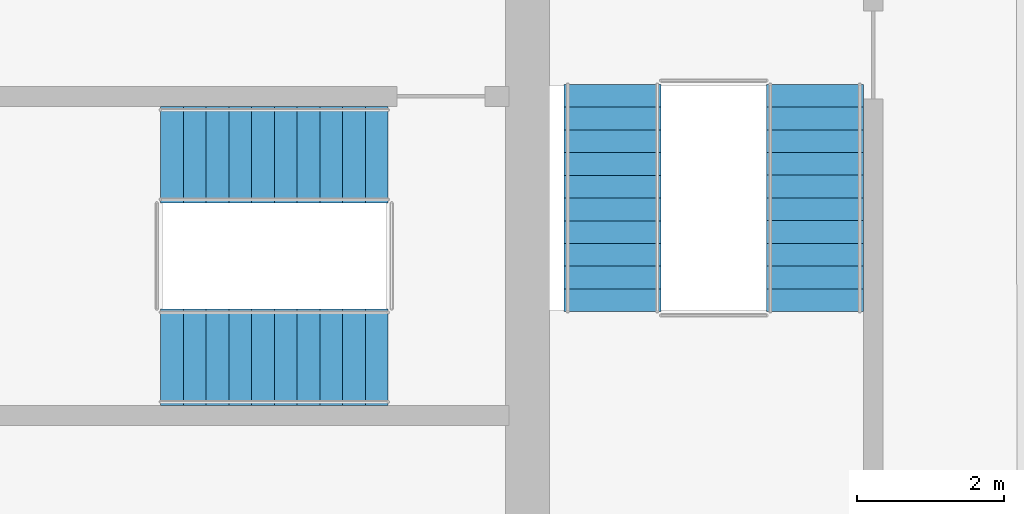
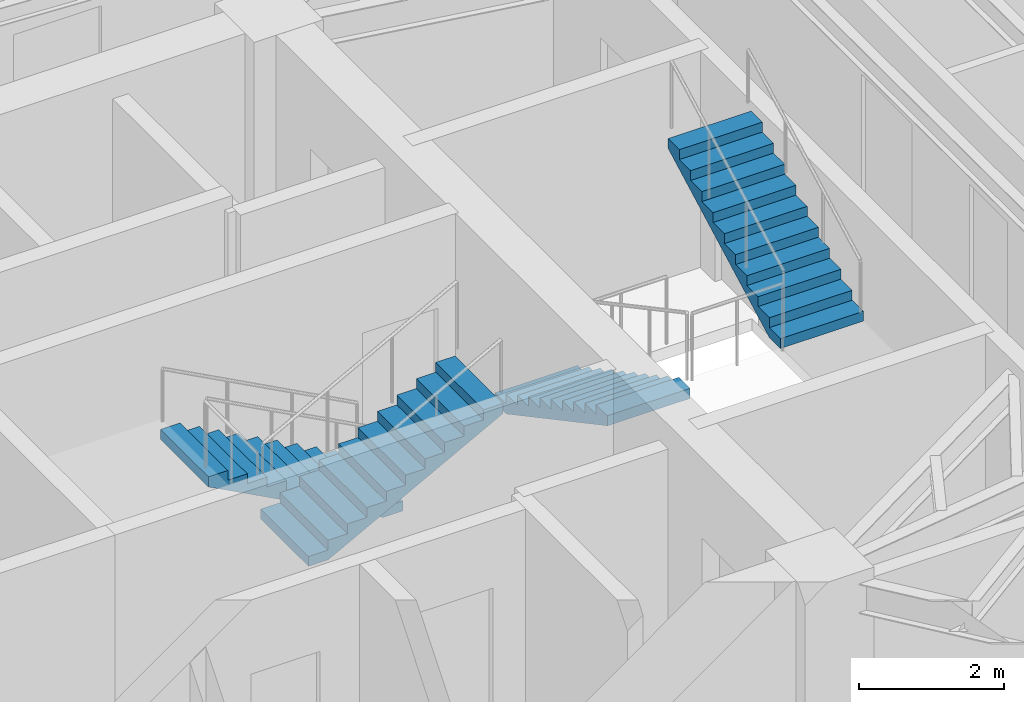
# One storey, part 21 of 23: 4 stair flights, 2 elements without a shape of their own.
"""IFC4 building model written with IfcOpenShell, lengths in metres."""

from ifc_helpers import new_model, si_unit, direction, frame, origin, place, context, subcontext, project, spatial, polyline, outline, extrude, material, type_object, element, aggregate, save


model = new_model("IFC4")

# Units and contexts
model_context = context("Model", 3, precision=1e-05, world=origin(), true_north=direction((0.0, 1.0)))
body_context = subcontext(model_context, "Body", "Model", "MODEL_VIEW")
ifc_project = project(units=[si_unit("LENGTHUNIT", "METRE"), si_unit("AREAUNIT", "SQUARE_METRE"), si_unit("VOLUMEUNIT", "CUBIC_METRE"), si_unit("PLANEANGLEUNIT", "RADIAN"), si_unit("MASSUNIT", "GRAM", prefix="KILO")], contexts=[model_context])

# Site, building, storey
site_placement = place(None, origin())
site = spatial("IfcSite", under=ifc_project, at=site_placement, CompositionType="ELEMENT")
building_placement = place(site_placement, origin())
building = spatial("IfcBuilding", under=site, at=building_placement, Name="Lazwardi Medical Tower", CompositionType="ELEMENT")
storey_placement = place(building_placement, frame((0.0, 0.0, 198.47998046875)))
storey = spatial("IfcBuildingStorey", under=building, at=storey_placement, Name="L51", CompositionType="ELEMENT", Elevation=198.47998046875)

# Stair, stair flights
ifc_material = material(Name="Concrete C45/55", Category="concrete")
stair_type = type_object("IfcStairType", Name="STR-WRD", PredefinedType="HALF_TURN_STAIR", material=ifc_material)
stair_1_placement = place(storey_placement, origin())
stair_1 = element("IfcStair", 1, at=stair_1_placement, inside=storey, type_object=stair_type, Name="L51 Protected Exit Stair ST2", PredefinedType="HALF_TURN_STAIR")
stair_flight_type = type_object("IfcStairFlightType", Name="FLT-WRD", PredefinedType="STRAIGHT", material=ifc_material)
stair_flight_1_placement = place(storey_placement, frame((43.800048828125, 29.43994140625, 0.0), z_axis=(0.0, 0.0, 1.0), x_axis=(-1.0, 0.0, 0.0)))
stair_flight_1 = element("IfcStairFlight", 2, at=stair_flight_1_placement, type_object=stair_flight_type, Name="ST2 flight 1", NumberOfRisers=11, NumberOfTreads=10, PredefinedType="STRAIGHT", RiserHeight=0.165818182, TreadLength=0.31, context=body_context, shape_type="SweptSolid", body=[
    extrude(outline(polyline([(0.0, 0.0), (0.0, 0.165771484375), (0.31005859375, 0.165771484375), (0.31005859375, 0.33154296875), (0.6201171875, 0.33154296875), (0.6201171875, 0.49755859375), (0.929931640625, 0.49755859375), (0.929931640625, 0.663330078125), (1.239990234375, 0.663330078125), (1.239990234375, 0.8291015625), (1.550048828125, 0.8291015625), (1.550048828125, 0.994873046875), (1.860107421875, 0.994873046875), (1.860107421875, 1.16064453125), (2.169921875, 1.16064453125), (2.169921875, 1.32666015625), (2.47998046875, 1.32666015625), (2.47998046875, 1.492431640625), (2.7900390625, 1.492431640625), (2.7900390625, 1.658203125), (3.10009765625, 1.658203125), (3.10009765625, 1.823974609375), (3.10009765625, 1.48828125), (0.31787109375, 0.0), (0.0, 0.0)])), frame((0.0, 0.66015625, 0.0), z_axis=(0.0, -1.0, 0.0), x_axis=(1.0, 0.0, 0.0)), (0.0, 0.0, 1.0), 1.320068359375),
])
stair_flight_2_placement = place(storey_placement, frame((40.699951171875, 26.679931640625, 1.823974609375), z_axis=(0.0, 0.0, 1.0), x_axis=(1.0, 0.0, 0.0)))
stair_flight_2 = element("IfcStairFlight", 3, at=stair_flight_2_placement, type_object=stair_flight_type, Name="ST2 flight 2", NumberOfRisers=11, NumberOfTreads=10, PredefinedType="STRAIGHT", RiserHeight=0.165818182, TreadLength=0.31, context=body_context, shape_type="SweptSolid", body=[
    extrude(outline(polyline([(0.0, 0.0), (0.0, 0.165771484375), (0.31005859375, 0.165771484375), (0.31005859375, 0.33154296875), (0.6201171875, 0.33154296875), (0.6201171875, 0.49755859375), (0.929931640625, 0.49755859375), (0.929931640625, 0.663330078125), (1.239990234375, 0.663330078125), (1.239990234375, 0.8291015625), (1.550048828125, 0.8291015625), (1.550048828125, 0.994873046875), (1.860107421875, 0.994873046875), (1.860107421875, 1.16064453125), (2.169921875, 1.16064453125), (2.169921875, 1.32666015625), (2.47998046875, 1.32666015625), (2.47998046875, 1.492431640625), (2.7900390625, 1.492431640625), (2.7900390625, 1.658203125), (3.10009765625, 1.658203125), (3.10009765625, 1.823974609375), (3.10009765625, 1.48828125), (0.31787109375, 0.0), (0.0, 0.0)])), frame((0.0, 0.66015625, 0.0), z_axis=(0.0, -1.0, 0.0), x_axis=(1.0, 0.0, 0.0)), (0.0, 0.0, 1.0), 1.320068359375),
])
aggregate(stair_1, [stair_flight_1, stair_flight_2])

stair_2_placement = place(storey_placement, origin())
stair_2 = element("IfcStair", 4, at=stair_2_placement, inside=storey, type_object=stair_type, Name="L51 Protected Exit Stair ST3", PredefinedType="HALF_TURN_STAIR")
stair_flight_3_placement = place(storey_placement, frame((46.860107421875, 30.39990234375, 0.0), z_axis=(0.0, 0.0, 1.0), x_axis=(0.0, -1.0, 0.0)))
stair_flight_3 = element("IfcStairFlight", 5, at=stair_flight_3_placement, type_object=stair_flight_type, Name="ST3 flight 1", NumberOfRisers=11, NumberOfTreads=10, PredefinedType="STRAIGHT", RiserHeight=0.165818182, TreadLength=0.31, context=body_context, shape_type="SweptSolid", body=[
    extrude(outline(polyline([(0.0, 0.0), (0.0, 0.165771484375), (0.31005859375, 0.165771484375), (0.31005859375, 0.33154296875), (0.6201171875, 0.33154296875), (0.6201171875, 0.49755859375), (0.929931640625, 0.49755859375), (0.929931640625, 0.663330078125), (1.239990234375, 0.663330078125), (1.239990234375, 0.8291015625), (1.550048828125, 0.8291015625), (1.550048828125, 0.994873046875), (1.860107421875, 0.994873046875), (1.860107421875, 1.16064453125), (2.169921875, 1.16064453125), (2.169921875, 1.32666015625), (2.47998046875, 1.32666015625), (2.47998046875, 1.492431640625), (2.7900390625, 1.492431640625), (2.7900390625, 1.658203125), (3.10009765625, 1.658203125), (3.10009765625, 1.823974609375), (3.10009765625, 1.48828125), (0.31787109375, 0.0), (0.0, 0.0)])), frame((0.0, 0.66015625, 0.0), z_axis=(0.0, -1.0, 0.0), x_axis=(1.0, 0.0, 0.0)), (0.0, 0.0, 1.0), 1.320068359375),
])
stair_flight_4_placement = place(storey_placement, frame((49.6201171875, 27.300048828125, 1.823974609375), z_axis=(0.0, 0.0, 1.0), x_axis=(0.0, 1.0, 0.0)))
stair_flight_4 = element("IfcStairFlight", 6, at=stair_flight_4_placement, type_object=stair_flight_type, Name="ST3 flight 2", NumberOfRisers=11, NumberOfTreads=10, PredefinedType="STRAIGHT", RiserHeight=0.165818182, TreadLength=0.31, context=body_context, shape_type="SweptSolid", body=[
    extrude(outline(polyline([(0.0, 0.0), (0.0, 0.165771484375), (0.31005859375, 0.165771484375), (0.31005859375, 0.33154296875), (0.6201171875, 0.33154296875), (0.6201171875, 0.49755859375), (0.929931640625, 0.49755859375), (0.929931640625, 0.663330078125), (1.239990234375, 0.663330078125), (1.239990234375, 0.8291015625), (1.550048828125, 0.8291015625), (1.550048828125, 0.994873046875), (1.860107421875, 0.994873046875), (1.860107421875, 1.16064453125), (2.169921875, 1.16064453125), (2.169921875, 1.32666015625), (2.47998046875, 1.32666015625), (2.47998046875, 1.492431640625), (2.7900390625, 1.492431640625), (2.7900390625, 1.658203125), (3.10009765625, 1.658203125), (3.10009765625, 1.823974609375), (3.10009765625, 1.48828125), (0.31787109375, 0.0), (0.0, 0.0)])), frame((0.0, 0.66015625, 0.0), z_axis=(0.0, -1.0, 0.0), x_axis=(1.0, 0.0, 0.0)), (0.0, 0.0, 1.0), 1.320068359375),
])
aggregate(stair_2, [stair_flight_3, stair_flight_4])

save(model, "model.ifc")
